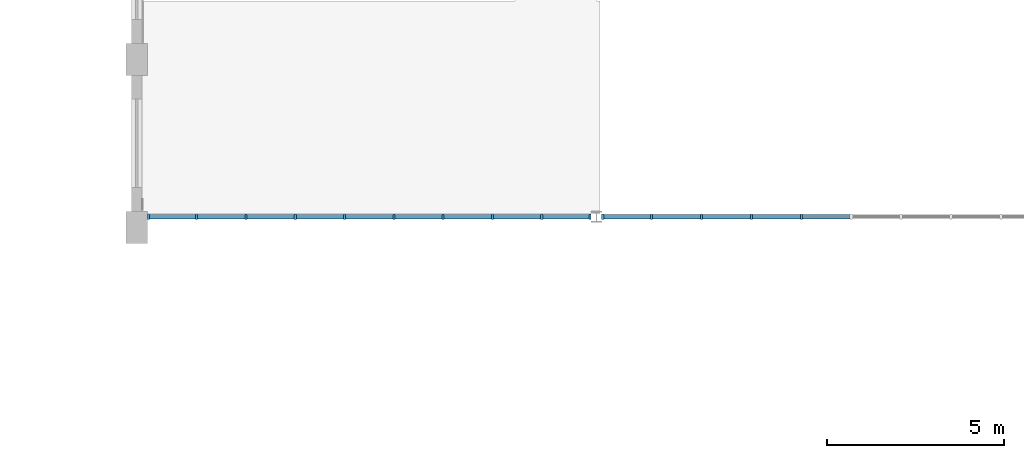
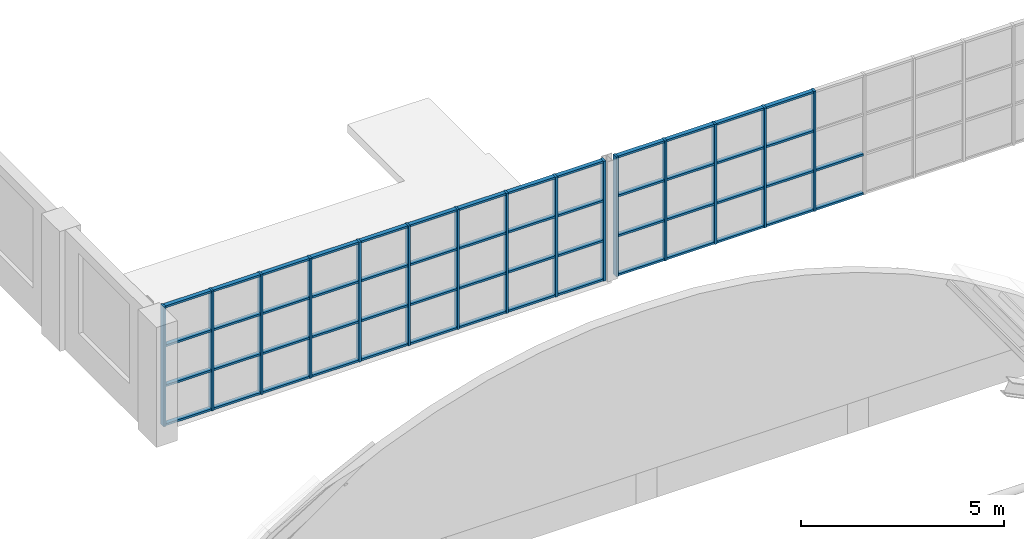
# One storey, part 7 of 70: 69 members, 2 elements without a shape of their own.
"""IFC4 building model written with IfcOpenShell, lengths in metres."""

from ifc_helpers import new_model, si_unit, direction, frame, origin, origin_2d, place, context, subcontext, project, spatial, rectangle, extrude, material, material_profile, profile_set, type_object, element, aggregate, save


model = new_model("IFC4")

# Units and contexts
model_context = context("Model", 3, precision=1e-05, world=origin(), true_north=direction((0.0, 1.0)))
body_context = subcontext(model_context, "Body", "Model", "MODEL_VIEW")
ifc_project = project(units=[si_unit("LENGTHUNIT", "METRE"), si_unit("AREAUNIT", "SQUARE_METRE"), si_unit("VOLUMEUNIT", "CUBIC_METRE"), si_unit("PLANEANGLEUNIT", "RADIAN"), si_unit("MASSUNIT", "GRAM", prefix="KILO")], contexts=[model_context])

# Site, building, storey
site_placement = place(None, origin())
site = spatial("IfcSite", under=ifc_project, at=site_placement, CompositionType="ELEMENT")
building_placement = place(site_placement, origin())
building = spatial("IfcBuilding", under=site, at=building_placement, Name="Elbe Cascade School", CompositionType="ELEMENT")
storey_placement = place(building_placement, frame((0.0, 0.0, 8.10009765625)))
storey = spatial("IfcBuildingStorey", under=building, at=storey_placement, Name="L02", CompositionType="ELEMENT", Elevation=8.10009765625)

# Curtain wall, members
ifc_material_1 = material(Name="Glass - double glazed low-E", Category="glass")
curtain_wall_type = type_object("IfcCurtainWallType", Name="Hall gable curtain wall", PredefinedType="NOTDEFINED", material=ifc_material_1)
curtain_wall_1_placement = place(storey_placement, origin())
curtain_wall_1 = element("IfcCurtainWall", 1, at=curtain_wall_1_placement, inside=storey, type_object=curtain_wall_type, Name="Gable curtain wall S1", PredefinedType="NOTDEFINED")
ifc_material_2 = material(Name="Aluminium - bronze anodised", Category="aluminium")
ifc_material_profile_1 = material_profile(ifc_material_2, rectangle(XDim=0.159912109375, YDim=0.06005859375, at=origin_2d()), Name="Alu 60x160")
ifc_profile_set_1 = profile_set([ifc_material_profile_1], Name="Aluminium - bronze anodised")
member_type_1 = type_object("IfcMemberType", Name="Hall gable mullion 60x160", PredefinedType="MULLION", material=ifc_profile_set_1)
member_1_placement = place(storey_placement, frame((8.330078125, 41.300048828125, 0.0), z_axis=(0.0, 0.0, 1.0), x_axis=(0.0, 1.0, 0.0)))
member_1 = element("IfcMember", 2, at=member_1_placement, type_object=member_type_1, Name="CW6 mullion 1", PredefinedType="MULLION", context=body_context, shape_type="SweptSolid", body=[
    extrude(rectangle(XDim=0.159912109375, YDim=0.06005859375, at=origin_2d()), origin(), (0.0, 0.0, 1.0), 3.599853515625),
])
member_2_placement = place(storey_placement, frame((9.6943359375, 41.300048828125, 0.0), z_axis=(0.0, 0.0, 1.0), x_axis=(0.0, 1.0, 0.0)))
member_2 = element("IfcMember", 3, at=member_2_placement, type_object=member_type_1, Name="CW6 mullion 2", PredefinedType="MULLION", context=body_context, shape_type="SweptSolid", body=[
    extrude(rectangle(XDim=0.159912109375, YDim=0.06005859375, at=origin_2d()), origin(), (0.0, 0.0, 1.0), 3.599853515625),
])
member_3_placement = place(storey_placement, frame((11.0888671875, 41.300048828125, 0.0), z_axis=(0.0, 0.0, 1.0), x_axis=(0.0, 1.0, 0.0)))
member_3 = element("IfcMember", 4, at=member_3_placement, type_object=member_type_1, Name="CW6 mullion 3", PredefinedType="MULLION", context=body_context, shape_type="SweptSolid", body=[
    extrude(rectangle(XDim=0.159912109375, YDim=0.06005859375, at=origin_2d()), origin(), (0.0, 0.0, 1.0), 3.599853515625),
])
member_4_placement = place(storey_placement, frame((12.4833984375, 41.300048828125, 0.0), z_axis=(0.0, 0.0, 1.0), x_axis=(0.0, 1.0, 0.0)))
member_4 = element("IfcMember", 5, at=member_4_placement, type_object=member_type_1, Name="CW6 mullion 4", PredefinedType="MULLION", context=body_context, shape_type="SweptSolid", body=[
    extrude(rectangle(XDim=0.159912109375, YDim=0.06005859375, at=origin_2d()), origin(), (0.0, 0.0, 1.0), 3.599853515625),
])
member_5_placement = place(storey_placement, frame((13.877685546875, 41.300048828125, 0.0), z_axis=(0.0, 0.0, 1.0), x_axis=(0.0, 1.0, 0.0)))
member_5 = element("IfcMember", 6, at=member_5_placement, type_object=member_type_1, Name="CW6 mullion 5", PredefinedType="MULLION", context=body_context, shape_type="SweptSolid", body=[
    extrude(rectangle(XDim=0.159912109375, YDim=0.06005859375, at=origin_2d()), origin(), (0.0, 0.0, 1.0), 3.599853515625),
])
member_6_placement = place(storey_placement, frame((15.272216796875, 41.300048828125, 0.0), z_axis=(0.0, 0.0, 1.0), x_axis=(0.0, 1.0, 0.0)))
member_6 = element("IfcMember", 7, at=member_6_placement, type_object=member_type_1, Name="CW6 mullion 6", PredefinedType="MULLION", context=body_context, shape_type="SweptSolid", body=[
    extrude(rectangle(XDim=0.159912109375, YDim=0.06005859375, at=origin_2d()), origin(), (0.0, 0.0, 1.0), 3.599853515625),
])
member_7_placement = place(storey_placement, frame((16.666748046875, 41.300048828125, 0.0), z_axis=(0.0, 0.0, 1.0), x_axis=(0.0, 1.0, 0.0)))
member_7 = element("IfcMember", 8, at=member_7_placement, type_object=member_type_1, Name="CW6 mullion 7", PredefinedType="MULLION", context=body_context, shape_type="SweptSolid", body=[
    extrude(rectangle(XDim=0.159912109375, YDim=0.06005859375, at=origin_2d()), origin(), (0.0, 0.0, 1.0), 3.599853515625),
])
member_8_placement = place(storey_placement, frame((18.06103515625, 41.300048828125, 0.0), z_axis=(0.0, 0.0, 1.0), x_axis=(0.0, 1.0, 0.0)))
member_8 = element("IfcMember", 9, at=member_8_placement, type_object=member_type_1, Name="CW6 mullion 8", PredefinedType="MULLION", context=body_context, shape_type="SweptSolid", body=[
    extrude(rectangle(XDim=0.159912109375, YDim=0.06005859375, at=origin_2d()), origin(), (0.0, 0.0, 1.0), 3.599853515625),
])
member_9_placement = place(storey_placement, frame((19.45556640625, 41.300048828125, 0.0), z_axis=(0.0, 0.0, 1.0), x_axis=(0.0, 1.0, 0.0)))
member_9 = element("IfcMember", 10, at=member_9_placement, type_object=member_type_1, Name="CW6 mullion 9", PredefinedType="MULLION", context=body_context, shape_type="SweptSolid", body=[
    extrude(rectangle(XDim=0.159912109375, YDim=0.06005859375, at=origin_2d()), origin(), (0.0, 0.0, 1.0), 3.599853515625),
])
member_10_placement = place(storey_placement, frame((20.820068359375, 41.300048828125, 0.0), z_axis=(0.0, 0.0, 1.0), x_axis=(0.0, 1.0, 0.0)))
member_10 = element("IfcMember", 11, at=member_10_placement, type_object=member_type_1, Name="CW6 mullion 10", PredefinedType="MULLION", context=body_context, shape_type="SweptSolid", body=[
    extrude(rectangle(XDim=0.159912109375, YDim=0.06005859375, at=origin_2d()), origin(), (0.0, 0.0, 1.0), 3.599853515625),
])

curtain_wall_2_placement = place(storey_placement, origin())
curtain_wall_2 = element("IfcCurtainWall", 12, at=curtain_wall_2_placement, inside=storey, type_object=curtain_wall_type, Name="Gable curtain wall S2", PredefinedType="NOTDEFINED")
member_11_placement = place(storey_placement, frame((21.179931640625, 41.300048828125, 0.0), z_axis=(0.0, 0.0, 1.0), x_axis=(0.0, 1.0, 0.0)))
member_11 = element("IfcMember", 13, at=member_11_placement, type_object=member_type_1, Name="CW6 mullion 1", PredefinedType="MULLION", context=body_context, shape_type="SweptSolid", body=[
    extrude(rectangle(XDim=0.159912109375, YDim=0.06005859375, at=origin_2d()), origin(), (0.0, 0.0, 1.0), 3.599853515625),
])
member_12_placement = place(storey_placement, frame((22.56103515625, 41.300048828125, 0.0), z_axis=(0.0, 0.0, 1.0), x_axis=(0.0, 1.0, 0.0)))
member_12 = element("IfcMember", 14, at=member_12_placement, type_object=member_type_1, Name="CW6 mullion 2", PredefinedType="MULLION", context=body_context, shape_type="SweptSolid", body=[
    extrude(rectangle(XDim=0.159912109375, YDim=0.06005859375, at=origin_2d()), origin(), (0.0, 0.0, 1.0), 3.599853515625),
])
member_13_placement = place(storey_placement, frame((23.97216796875, 41.300048828125, 0.0), z_axis=(0.0, 0.0, 1.0), x_axis=(0.0, 1.0, 0.0)))
member_13 = element("IfcMember", 15, at=member_13_placement, type_object=member_type_1, Name="CW6 mullion 3", PredefinedType="MULLION", context=body_context, shape_type="SweptSolid", body=[
    extrude(rectangle(XDim=0.159912109375, YDim=0.06005859375, at=origin_2d()), origin(), (0.0, 0.0, 1.0), 3.599853515625),
])
member_14_placement = place(storey_placement, frame((25.38330078125, 41.300048828125, 0.0), z_axis=(0.0, 0.0, 1.0), x_axis=(0.0, 1.0, 0.0)))
member_14 = element("IfcMember", 16, at=member_14_placement, type_object=member_type_1, Name="CW6 mullion 4", PredefinedType="MULLION", context=body_context, shape_type="SweptSolid", body=[
    extrude(rectangle(XDim=0.159912109375, YDim=0.06005859375, at=origin_2d()), origin(), (0.0, 0.0, 1.0), 3.599853515625),
])
member_15_placement = place(storey_placement, frame((26.79443359375, 41.300048828125, 0.0), z_axis=(0.0, 0.0, 1.0), x_axis=(0.0, 1.0, 0.0)))
member_15 = element("IfcMember", 17, at=member_15_placement, type_object=member_type_1, Name="CW6 mullion 5", PredefinedType="MULLION", context=body_context, shape_type="SweptSolid", body=[
    extrude(rectangle(XDim=0.159912109375, YDim=0.06005859375, at=origin_2d()), origin(), (0.0, 0.0, 1.0), 3.599853515625),
])

# Member
ifc_material_3 = material(Name="Aluminium - bronze anodised", Category="aluminium")
ifc_material_profile_2 = material_profile(ifc_material_3, rectangle(XDim=0.1201171875, YDim=0.06005859375, at=origin_2d()), Name="Alu 60x120")
ifc_profile_set_2 = profile_set([ifc_material_profile_2], Name="Aluminium - bronze anodised")
member_type_2 = type_object("IfcMemberType", Name="Hall gable transom 60x120", PredefinedType="USERDEFINED", material=ifc_profile_set_2)
member_16_placement = place(storey_placement, frame((8.360107421875, 41.300048828125, 0.02978515625), z_axis=(1.0, 0.0, 0.0), x_axis=(0.0, 1.0, 0.0)))
member_16 = element("IfcMember", 18, at=member_16_placement, type_object=member_type_2, Name="CW6 transom 1.1", ObjectType="TRANSOM", PredefinedType="USERDEFINED", context=body_context, shape_type="SweptSolid", body=[
    extrude(rectangle(XDim=0.1201171875, YDim=0.06005859375, at=origin_2d()), origin(), (0.0, 0.0, 1.0), 1.304443359375),
])

member_17_placement = place(storey_placement, frame((8.360107421875, 41.300048828125, 1.199951171875), z_axis=(1.0, 0.0, 0.0), x_axis=(0.0, 1.0, 0.0)))
member_17 = element("IfcMember", 19, at=member_17_placement, type_object=member_type_2, Name="CW6 transom 1.2", ObjectType="TRANSOM", PredefinedType="USERDEFINED", context=body_context, shape_type="SweptSolid", body=[
    extrude(rectangle(XDim=0.1201171875, YDim=0.06005859375, at=origin_2d()), origin(), (0.0, 0.0, 1.0), 1.304443359375),
])

member_18_placement = place(storey_placement, frame((8.360107421875, 41.300048828125, 2.39990234375), z_axis=(1.0, 0.0, 0.0), x_axis=(0.0, 1.0, 0.0)))
member_18 = element("IfcMember", 20, at=member_18_placement, type_object=member_type_2, Name="CW6 transom 1.3", ObjectType="TRANSOM", PredefinedType="USERDEFINED", context=body_context, shape_type="SweptSolid", body=[
    extrude(rectangle(XDim=0.1201171875, YDim=0.06005859375, at=origin_2d()), origin(), (0.0, 0.0, 1.0), 1.304443359375),
])

member_19_placement = place(storey_placement, frame((8.360107421875, 41.300048828125, 3.56982421875), z_axis=(1.0, 0.0, 0.0), x_axis=(0.0, 1.0, 0.0)))
member_19 = element("IfcMember", 21, at=member_19_placement, type_object=member_type_2, Name="CW6 transom 1.4", ObjectType="TRANSOM", PredefinedType="USERDEFINED", context=body_context, shape_type="SweptSolid", body=[
    extrude(rectangle(XDim=0.1201171875, YDim=0.06005859375, at=origin_2d()), origin(), (0.0, 0.0, 1.0), 1.304443359375),
])

member_20_placement = place(storey_placement, frame((9.724365234375, 41.300048828125, 0.02978515625), z_axis=(1.0, 0.0, 0.0), x_axis=(0.0, 1.0, 0.0)))
member_20 = element("IfcMember", 22, at=member_20_placement, type_object=member_type_2, Name="CW6 transom 2.1", ObjectType="TRANSOM", PredefinedType="USERDEFINED", context=body_context, shape_type="SweptSolid", body=[
    extrude(rectangle(XDim=0.1201171875, YDim=0.06005859375, at=origin_2d()), origin(), (0.0, 0.0, 1.0), 1.33447265625),
])

member_21_placement = place(storey_placement, frame((9.724365234375, 41.300048828125, 1.199951171875), z_axis=(1.0, 0.0, 0.0), x_axis=(0.0, 1.0, 0.0)))
member_21 = element("IfcMember", 23, at=member_21_placement, type_object=member_type_2, Name="CW6 transom 2.2", ObjectType="TRANSOM", PredefinedType="USERDEFINED", context=body_context, shape_type="SweptSolid", body=[
    extrude(rectangle(XDim=0.1201171875, YDim=0.06005859375, at=origin_2d()), origin(), (0.0, 0.0, 1.0), 1.33447265625),
])

member_22_placement = place(storey_placement, frame((9.724365234375, 41.300048828125, 2.39990234375), z_axis=(1.0, 0.0, 0.0), x_axis=(0.0, 1.0, 0.0)))
member_22 = element("IfcMember", 24, at=member_22_placement, type_object=member_type_2, Name="CW6 transom 2.3", ObjectType="TRANSOM", PredefinedType="USERDEFINED", context=body_context, shape_type="SweptSolid", body=[
    extrude(rectangle(XDim=0.1201171875, YDim=0.06005859375, at=origin_2d()), origin(), (0.0, 0.0, 1.0), 1.33447265625),
])

member_23_placement = place(storey_placement, frame((9.724365234375, 41.300048828125, 3.56982421875), z_axis=(1.0, 0.0, 0.0), x_axis=(0.0, 1.0, 0.0)))
member_23 = element("IfcMember", 25, at=member_23_placement, type_object=member_type_2, Name="CW6 transom 2.4", ObjectType="TRANSOM", PredefinedType="USERDEFINED", context=body_context, shape_type="SweptSolid", body=[
    extrude(rectangle(XDim=0.1201171875, YDim=0.06005859375, at=origin_2d()), origin(), (0.0, 0.0, 1.0), 1.33447265625),
])

member_24_placement = place(storey_placement, frame((11.118896484375, 41.300048828125, 0.02978515625), z_axis=(1.0, 0.0, 0.0), x_axis=(0.0, 1.0, 0.0)))
member_24 = element("IfcMember", 26, at=member_24_placement, type_object=member_type_2, Name="CW6 transom 3.1", ObjectType="TRANSOM", PredefinedType="USERDEFINED", context=body_context, shape_type="SweptSolid", body=[
    extrude(rectangle(XDim=0.1201171875, YDim=0.06005859375, at=origin_2d()), origin(), (0.0, 0.0, 1.0), 1.33447265625),
])

member_25_placement = place(storey_placement, frame((11.118896484375, 41.300048828125, 1.199951171875), z_axis=(1.0, 0.0, 0.0), x_axis=(0.0, 1.0, 0.0)))
member_25 = element("IfcMember", 27, at=member_25_placement, type_object=member_type_2, Name="CW6 transom 3.2", ObjectType="TRANSOM", PredefinedType="USERDEFINED", context=body_context, shape_type="SweptSolid", body=[
    extrude(rectangle(XDim=0.1201171875, YDim=0.06005859375, at=origin_2d()), origin(), (0.0, 0.0, 1.0), 1.33447265625),
])

member_26_placement = place(storey_placement, frame((11.118896484375, 41.300048828125, 2.39990234375), z_axis=(1.0, 0.0, 0.0), x_axis=(0.0, 1.0, 0.0)))
member_26 = element("IfcMember", 28, at=member_26_placement, type_object=member_type_2, Name="CW6 transom 3.3", ObjectType="TRANSOM", PredefinedType="USERDEFINED", context=body_context, shape_type="SweptSolid", body=[
    extrude(rectangle(XDim=0.1201171875, YDim=0.06005859375, at=origin_2d()), origin(), (0.0, 0.0, 1.0), 1.33447265625),
])

member_27_placement = place(storey_placement, frame((11.118896484375, 41.300048828125, 3.56982421875), z_axis=(1.0, 0.0, 0.0), x_axis=(0.0, 1.0, 0.0)))
member_27 = element("IfcMember", 29, at=member_27_placement, type_object=member_type_2, Name="CW6 transom 3.4", ObjectType="TRANSOM", PredefinedType="USERDEFINED", context=body_context, shape_type="SweptSolid", body=[
    extrude(rectangle(XDim=0.1201171875, YDim=0.06005859375, at=origin_2d()), origin(), (0.0, 0.0, 1.0), 1.33447265625),
])

member_28_placement = place(storey_placement, frame((12.513427734375, 41.300048828125, 0.02978515625), z_axis=(1.0, 0.0, 0.0), x_axis=(0.0, 1.0, 0.0)))
member_28 = element("IfcMember", 30, at=member_28_placement, type_object=member_type_2, Name="CW6 transom 4.1", ObjectType="TRANSOM", PredefinedType="USERDEFINED", context=body_context, shape_type="SweptSolid", body=[
    extrude(rectangle(XDim=0.1201171875, YDim=0.06005859375, at=origin_2d()), origin(), (0.0, 0.0, 1.0), 1.334228515625),
])

member_29_placement = place(storey_placement, frame((12.513427734375, 41.300048828125, 1.199951171875), z_axis=(1.0, 0.0, 0.0), x_axis=(0.0, 1.0, 0.0)))
member_29 = element("IfcMember", 31, at=member_29_placement, type_object=member_type_2, Name="CW6 transom 4.2", ObjectType="TRANSOM", PredefinedType="USERDEFINED", context=body_context, shape_type="SweptSolid", body=[
    extrude(rectangle(XDim=0.1201171875, YDim=0.06005859375, at=origin_2d()), origin(), (0.0, 0.0, 1.0), 1.334228515625),
])

member_30_placement = place(storey_placement, frame((12.513427734375, 41.300048828125, 2.39990234375), z_axis=(1.0, 0.0, 0.0), x_axis=(0.0, 1.0, 0.0)))
member_30 = element("IfcMember", 32, at=member_30_placement, type_object=member_type_2, Name="CW6 transom 4.3", ObjectType="TRANSOM", PredefinedType="USERDEFINED", context=body_context, shape_type="SweptSolid", body=[
    extrude(rectangle(XDim=0.1201171875, YDim=0.06005859375, at=origin_2d()), origin(), (0.0, 0.0, 1.0), 1.334228515625),
])

member_31_placement = place(storey_placement, frame((12.513427734375, 41.300048828125, 3.56982421875), z_axis=(1.0, 0.0, 0.0), x_axis=(0.0, 1.0, 0.0)))
member_31 = element("IfcMember", 33, at=member_31_placement, type_object=member_type_2, Name="CW6 transom 4.4", ObjectType="TRANSOM", PredefinedType="USERDEFINED", context=body_context, shape_type="SweptSolid", body=[
    extrude(rectangle(XDim=0.1201171875, YDim=0.06005859375, at=origin_2d()), origin(), (0.0, 0.0, 1.0), 1.334228515625),
])

member_32_placement = place(storey_placement, frame((13.90771484375, 41.300048828125, 0.02978515625), z_axis=(1.0, 0.0, 0.0), x_axis=(0.0, 1.0, 0.0)))
member_32 = element("IfcMember", 34, at=member_32_placement, type_object=member_type_2, Name="CW6 transom 5.1", ObjectType="TRANSOM", PredefinedType="USERDEFINED", context=body_context, shape_type="SweptSolid", body=[
    extrude(rectangle(XDim=0.1201171875, YDim=0.06005859375, at=origin_2d()), origin(), (0.0, 0.0, 1.0), 1.33447265625),
])

member_33_placement = place(storey_placement, frame((13.90771484375, 41.300048828125, 1.199951171875), z_axis=(1.0, 0.0, 0.0), x_axis=(0.0, 1.0, 0.0)))
member_33 = element("IfcMember", 35, at=member_33_placement, type_object=member_type_2, Name="CW6 transom 5.2", ObjectType="TRANSOM", PredefinedType="USERDEFINED", context=body_context, shape_type="SweptSolid", body=[
    extrude(rectangle(XDim=0.1201171875, YDim=0.06005859375, at=origin_2d()), origin(), (0.0, 0.0, 1.0), 1.33447265625),
])

member_34_placement = place(storey_placement, frame((13.90771484375, 41.300048828125, 2.39990234375), z_axis=(1.0, 0.0, 0.0), x_axis=(0.0, 1.0, 0.0)))
member_34 = element("IfcMember", 36, at=member_34_placement, type_object=member_type_2, Name="CW6 transom 5.3", ObjectType="TRANSOM", PredefinedType="USERDEFINED", context=body_context, shape_type="SweptSolid", body=[
    extrude(rectangle(XDim=0.1201171875, YDim=0.06005859375, at=origin_2d()), origin(), (0.0, 0.0, 1.0), 1.33447265625),
])

member_35_placement = place(storey_placement, frame((13.90771484375, 41.300048828125, 3.56982421875), z_axis=(1.0, 0.0, 0.0), x_axis=(0.0, 1.0, 0.0)))
member_35 = element("IfcMember", 37, at=member_35_placement, type_object=member_type_2, Name="CW6 transom 5.4", ObjectType="TRANSOM", PredefinedType="USERDEFINED", context=body_context, shape_type="SweptSolid", body=[
    extrude(rectangle(XDim=0.1201171875, YDim=0.06005859375, at=origin_2d()), origin(), (0.0, 0.0, 1.0), 1.33447265625),
])

member_36_placement = place(storey_placement, frame((15.30224609375, 41.300048828125, 0.02978515625), z_axis=(1.0, 0.0, 0.0), x_axis=(0.0, 1.0, 0.0)))
member_36 = element("IfcMember", 38, at=member_36_placement, type_object=member_type_2, Name="CW6 transom 6.1", ObjectType="TRANSOM", PredefinedType="USERDEFINED", context=body_context, shape_type="SweptSolid", body=[
    extrude(rectangle(XDim=0.1201171875, YDim=0.06005859375, at=origin_2d()), origin(), (0.0, 0.0, 1.0), 1.33447265625),
])

member_37_placement = place(storey_placement, frame((15.30224609375, 41.300048828125, 1.199951171875), z_axis=(1.0, 0.0, 0.0), x_axis=(0.0, 1.0, 0.0)))
member_37 = element("IfcMember", 39, at=member_37_placement, type_object=member_type_2, Name="CW6 transom 6.2", ObjectType="TRANSOM", PredefinedType="USERDEFINED", context=body_context, shape_type="SweptSolid", body=[
    extrude(rectangle(XDim=0.1201171875, YDim=0.06005859375, at=origin_2d()), origin(), (0.0, 0.0, 1.0), 1.33447265625),
])

member_38_placement = place(storey_placement, frame((15.30224609375, 41.300048828125, 2.39990234375), z_axis=(1.0, 0.0, 0.0), x_axis=(0.0, 1.0, 0.0)))
member_38 = element("IfcMember", 40, at=member_38_placement, type_object=member_type_2, Name="CW6 transom 6.3", ObjectType="TRANSOM", PredefinedType="USERDEFINED", context=body_context, shape_type="SweptSolid", body=[
    extrude(rectangle(XDim=0.1201171875, YDim=0.06005859375, at=origin_2d()), origin(), (0.0, 0.0, 1.0), 1.33447265625),
])

member_39_placement = place(storey_placement, frame((15.30224609375, 41.300048828125, 3.56982421875), z_axis=(1.0, 0.0, 0.0), x_axis=(0.0, 1.0, 0.0)))
member_39 = element("IfcMember", 41, at=member_39_placement, type_object=member_type_2, Name="CW6 transom 6.4", ObjectType="TRANSOM", PredefinedType="USERDEFINED", context=body_context, shape_type="SweptSolid", body=[
    extrude(rectangle(XDim=0.1201171875, YDim=0.06005859375, at=origin_2d()), origin(), (0.0, 0.0, 1.0), 1.33447265625),
])

member_40_placement = place(storey_placement, frame((16.69677734375, 41.300048828125, 0.02978515625), z_axis=(1.0, 0.0, 0.0), x_axis=(0.0, 1.0, 0.0)))
member_40 = element("IfcMember", 42, at=member_40_placement, type_object=member_type_2, Name="CW6 transom 7.1", ObjectType="TRANSOM", PredefinedType="USERDEFINED", context=body_context, shape_type="SweptSolid", body=[
    extrude(rectangle(XDim=0.1201171875, YDim=0.06005859375, at=origin_2d()), origin(), (0.0, 0.0, 1.0), 1.334228515625),
])

member_41_placement = place(storey_placement, frame((16.69677734375, 41.300048828125, 1.199951171875), z_axis=(1.0, 0.0, 0.0), x_axis=(0.0, 1.0, 0.0)))
member_41 = element("IfcMember", 43, at=member_41_placement, type_object=member_type_2, Name="CW6 transom 7.2", ObjectType="TRANSOM", PredefinedType="USERDEFINED", context=body_context, shape_type="SweptSolid", body=[
    extrude(rectangle(XDim=0.1201171875, YDim=0.06005859375, at=origin_2d()), origin(), (0.0, 0.0, 1.0), 1.334228515625),
])

member_42_placement = place(storey_placement, frame((16.69677734375, 41.300048828125, 2.39990234375), z_axis=(1.0, 0.0, 0.0), x_axis=(0.0, 1.0, 0.0)))
member_42 = element("IfcMember", 44, at=member_42_placement, type_object=member_type_2, Name="CW6 transom 7.3", ObjectType="TRANSOM", PredefinedType="USERDEFINED", context=body_context, shape_type="SweptSolid", body=[
    extrude(rectangle(XDim=0.1201171875, YDim=0.06005859375, at=origin_2d()), origin(), (0.0, 0.0, 1.0), 1.334228515625),
])

member_43_placement = place(storey_placement, frame((16.69677734375, 41.300048828125, 3.56982421875), z_axis=(1.0, 0.0, 0.0), x_axis=(0.0, 1.0, 0.0)))
member_43 = element("IfcMember", 45, at=member_43_placement, type_object=member_type_2, Name="CW6 transom 7.4", ObjectType="TRANSOM", PredefinedType="USERDEFINED", context=body_context, shape_type="SweptSolid", body=[
    extrude(rectangle(XDim=0.1201171875, YDim=0.06005859375, at=origin_2d()), origin(), (0.0, 0.0, 1.0), 1.334228515625),
])

member_44_placement = place(storey_placement, frame((18.091064453125, 41.300048828125, 0.02978515625), z_axis=(1.0, 0.0, 0.0), x_axis=(0.0, 1.0, 0.0)))
member_44 = element("IfcMember", 46, at=member_44_placement, type_object=member_type_2, Name="CW6 transom 8.1", ObjectType="TRANSOM", PredefinedType="USERDEFINED", context=body_context, shape_type="SweptSolid", body=[
    extrude(rectangle(XDim=0.1201171875, YDim=0.06005859375, at=origin_2d()), origin(), (0.0, 0.0, 1.0), 1.33447265625),
])

member_45_placement = place(storey_placement, frame((18.091064453125, 41.300048828125, 1.199951171875), z_axis=(1.0, 0.0, 0.0), x_axis=(0.0, 1.0, 0.0)))
member_45 = element("IfcMember", 47, at=member_45_placement, type_object=member_type_2, Name="CW6 transom 8.2", ObjectType="TRANSOM", PredefinedType="USERDEFINED", context=body_context, shape_type="SweptSolid", body=[
    extrude(rectangle(XDim=0.1201171875, YDim=0.06005859375, at=origin_2d()), origin(), (0.0, 0.0, 1.0), 1.33447265625),
])

member_46_placement = place(storey_placement, frame((18.091064453125, 41.300048828125, 2.39990234375), z_axis=(1.0, 0.0, 0.0), x_axis=(0.0, 1.0, 0.0)))
member_46 = element("IfcMember", 48, at=member_46_placement, type_object=member_type_2, Name="CW6 transom 8.3", ObjectType="TRANSOM", PredefinedType="USERDEFINED", context=body_context, shape_type="SweptSolid", body=[
    extrude(rectangle(XDim=0.1201171875, YDim=0.06005859375, at=origin_2d()), origin(), (0.0, 0.0, 1.0), 1.33447265625),
])

member_47_placement = place(storey_placement, frame((18.091064453125, 41.300048828125, 3.56982421875), z_axis=(1.0, 0.0, 0.0), x_axis=(0.0, 1.0, 0.0)))
member_47 = element("IfcMember", 49, at=member_47_placement, type_object=member_type_2, Name="CW6 transom 8.4", ObjectType="TRANSOM", PredefinedType="USERDEFINED", context=body_context, shape_type="SweptSolid", body=[
    extrude(rectangle(XDim=0.1201171875, YDim=0.06005859375, at=origin_2d()), origin(), (0.0, 0.0, 1.0), 1.33447265625),
])

member_48_placement = place(storey_placement, frame((19.485595703125, 41.300048828125, 0.02978515625), z_axis=(1.0, 0.0, 0.0), x_axis=(0.0, 1.0, 0.0)))
member_48 = element("IfcMember", 50, at=member_48_placement, type_object=member_type_2, Name="CW6 transom 9.1", ObjectType="TRANSOM", PredefinedType="USERDEFINED", context=body_context, shape_type="SweptSolid", body=[
    extrude(rectangle(XDim=0.1201171875, YDim=0.06005859375, at=origin_2d()), origin(), (0.0, 0.0, 1.0), 1.304443359375),
])

member_49_placement = place(storey_placement, frame((19.485595703125, 41.300048828125, 1.199951171875), z_axis=(1.0, 0.0, 0.0), x_axis=(0.0, 1.0, 0.0)))
member_49 = element("IfcMember", 51, at=member_49_placement, type_object=member_type_2, Name="CW6 transom 9.2", ObjectType="TRANSOM", PredefinedType="USERDEFINED", context=body_context, shape_type="SweptSolid", body=[
    extrude(rectangle(XDim=0.1201171875, YDim=0.06005859375, at=origin_2d()), origin(), (0.0, 0.0, 1.0), 1.304443359375),
])

member_50_placement = place(storey_placement, frame((19.485595703125, 41.300048828125, 2.39990234375), z_axis=(1.0, 0.0, 0.0), x_axis=(0.0, 1.0, 0.0)))
member_50 = element("IfcMember", 52, at=member_50_placement, type_object=member_type_2, Name="CW6 transom 9.3", ObjectType="TRANSOM", PredefinedType="USERDEFINED", context=body_context, shape_type="SweptSolid", body=[
    extrude(rectangle(XDim=0.1201171875, YDim=0.06005859375, at=origin_2d()), origin(), (0.0, 0.0, 1.0), 1.304443359375),
])

member_51_placement = place(storey_placement, frame((19.485595703125, 41.300048828125, 3.56982421875), z_axis=(1.0, 0.0, 0.0), x_axis=(0.0, 1.0, 0.0)))
member_51 = element("IfcMember", 53, at=member_51_placement, type_object=member_type_2, Name="CW6 transom 9.4", ObjectType="TRANSOM", PredefinedType="USERDEFINED", context=body_context, shape_type="SweptSolid", body=[
    extrude(rectangle(XDim=0.1201171875, YDim=0.06005859375, at=origin_2d()), origin(), (0.0, 0.0, 1.0), 1.304443359375),
])

aggregate(curtain_wall_1, [member_1, member_2, member_3, member_4, member_5, member_6, member_7, member_8, member_9, member_10, member_16, member_17, member_18, member_19, member_20, member_21, member_22, member_23, member_24, member_25, member_26, member_27, member_28, member_29, member_30, member_31, member_32, member_33, member_34, member_35, member_36, member_37, member_38, member_39, member_40, member_41, member_42, member_43, member_44, member_45, member_46, member_47, member_48, member_49, member_50, member_51])

member_52_placement = place(storey_placement, frame((21.2099609375, 41.300048828125, 0.02978515625), z_axis=(1.0, 0.0, 0.0), x_axis=(0.0, 1.0, 0.0)))
member_52 = element("IfcMember", 54, at=member_52_placement, type_object=member_type_2, Name="CW6 transom 1.1", ObjectType="TRANSOM", PredefinedType="USERDEFINED", context=body_context, shape_type="SweptSolid", body=[
    extrude(rectangle(XDim=0.1201171875, YDim=0.06005859375, at=origin_2d()), origin(), (0.0, 0.0, 1.0), 1.321044921875),
])

member_53_placement = place(storey_placement, frame((21.2099609375, 41.300048828125, 1.199951171875), z_axis=(1.0, 0.0, 0.0), x_axis=(0.0, 1.0, 0.0)))
member_53 = element("IfcMember", 55, at=member_53_placement, type_object=member_type_2, Name="CW6 transom 1.2", ObjectType="TRANSOM", PredefinedType="USERDEFINED", context=body_context, shape_type="SweptSolid", body=[
    extrude(rectangle(XDim=0.1201171875, YDim=0.06005859375, at=origin_2d()), origin(), (0.0, 0.0, 1.0), 1.321044921875),
])

member_54_placement = place(storey_placement, frame((21.2099609375, 41.300048828125, 2.39990234375), z_axis=(1.0, 0.0, 0.0), x_axis=(0.0, 1.0, 0.0)))
member_54 = element("IfcMember", 56, at=member_54_placement, type_object=member_type_2, Name="CW6 transom 1.3", ObjectType="TRANSOM", PredefinedType="USERDEFINED", context=body_context, shape_type="SweptSolid", body=[
    extrude(rectangle(XDim=0.1201171875, YDim=0.06005859375, at=origin_2d()), origin(), (0.0, 0.0, 1.0), 1.321044921875),
])

member_55_placement = place(storey_placement, frame((21.2099609375, 41.300048828125, 3.56982421875), z_axis=(1.0, 0.0, 0.0), x_axis=(0.0, 1.0, 0.0)))
member_55 = element("IfcMember", 57, at=member_55_placement, type_object=member_type_2, Name="CW6 transom 1.4", ObjectType="TRANSOM", PredefinedType="USERDEFINED", context=body_context, shape_type="SweptSolid", body=[
    extrude(rectangle(XDim=0.1201171875, YDim=0.06005859375, at=origin_2d()), origin(), (0.0, 0.0, 1.0), 1.321044921875),
])

member_56_placement = place(storey_placement, frame((22.591064453125, 41.300048828125, 0.02978515625), z_axis=(1.0, 0.0, 0.0), x_axis=(0.0, 1.0, 0.0)))
member_56 = element("IfcMember", 58, at=member_56_placement, type_object=member_type_2, Name="CW6 transom 2.1", ObjectType="TRANSOM", PredefinedType="USERDEFINED", context=body_context, shape_type="SweptSolid", body=[
    extrude(rectangle(XDim=0.1201171875, YDim=0.06005859375, at=origin_2d()), origin(), (0.0, 0.0, 1.0), 1.35107421875),
])

member_57_placement = place(storey_placement, frame((22.591064453125, 41.300048828125, 1.199951171875), z_axis=(1.0, 0.0, 0.0), x_axis=(0.0, 1.0, 0.0)))
member_57 = element("IfcMember", 59, at=member_57_placement, type_object=member_type_2, Name="CW6 transom 2.2", ObjectType="TRANSOM", PredefinedType="USERDEFINED", context=body_context, shape_type="SweptSolid", body=[
    extrude(rectangle(XDim=0.1201171875, YDim=0.06005859375, at=origin_2d()), origin(), (0.0, 0.0, 1.0), 1.35107421875),
])

member_58_placement = place(storey_placement, frame((22.591064453125, 41.300048828125, 2.39990234375), z_axis=(1.0, 0.0, 0.0), x_axis=(0.0, 1.0, 0.0)))
member_58 = element("IfcMember", 60, at=member_58_placement, type_object=member_type_2, Name="CW6 transom 2.3", ObjectType="TRANSOM", PredefinedType="USERDEFINED", context=body_context, shape_type="SweptSolid", body=[
    extrude(rectangle(XDim=0.1201171875, YDim=0.06005859375, at=origin_2d()), origin(), (0.0, 0.0, 1.0), 1.35107421875),
])

member_59_placement = place(storey_placement, frame((22.591064453125, 41.300048828125, 3.56982421875), z_axis=(1.0, 0.0, 0.0), x_axis=(0.0, 1.0, 0.0)))
member_59 = element("IfcMember", 61, at=member_59_placement, type_object=member_type_2, Name="CW6 transom 2.4", ObjectType="TRANSOM", PredefinedType="USERDEFINED", context=body_context, shape_type="SweptSolid", body=[
    extrude(rectangle(XDim=0.1201171875, YDim=0.06005859375, at=origin_2d()), origin(), (0.0, 0.0, 1.0), 1.35107421875),
])

member_60_placement = place(storey_placement, frame((24.002197265625, 41.300048828125, 0.02978515625), z_axis=(1.0, 0.0, 0.0), x_axis=(0.0, 1.0, 0.0)))
member_60 = element("IfcMember", 62, at=member_60_placement, type_object=member_type_2, Name="CW6 transom 3.1", ObjectType="TRANSOM", PredefinedType="USERDEFINED", context=body_context, shape_type="SweptSolid", body=[
    extrude(rectangle(XDim=0.1201171875, YDim=0.06005859375, at=origin_2d()), origin(), (0.0, 0.0, 1.0), 1.35107421875),
])

member_61_placement = place(storey_placement, frame((24.002197265625, 41.300048828125, 1.199951171875), z_axis=(1.0, 0.0, 0.0), x_axis=(0.0, 1.0, 0.0)))
member_61 = element("IfcMember", 63, at=member_61_placement, type_object=member_type_2, Name="CW6 transom 3.2", ObjectType="TRANSOM", PredefinedType="USERDEFINED", context=body_context, shape_type="SweptSolid", body=[
    extrude(rectangle(XDim=0.1201171875, YDim=0.06005859375, at=origin_2d()), origin(), (0.0, 0.0, 1.0), 1.35107421875),
])

member_62_placement = place(storey_placement, frame((24.002197265625, 41.300048828125, 2.39990234375), z_axis=(1.0, 0.0, 0.0), x_axis=(0.0, 1.0, 0.0)))
member_62 = element("IfcMember", 64, at=member_62_placement, type_object=member_type_2, Name="CW6 transom 3.3", ObjectType="TRANSOM", PredefinedType="USERDEFINED", context=body_context, shape_type="SweptSolid", body=[
    extrude(rectangle(XDim=0.1201171875, YDim=0.06005859375, at=origin_2d()), origin(), (0.0, 0.0, 1.0), 1.35107421875),
])

member_63_placement = place(storey_placement, frame((24.002197265625, 41.300048828125, 3.56982421875), z_axis=(1.0, 0.0, 0.0), x_axis=(0.0, 1.0, 0.0)))
member_63 = element("IfcMember", 65, at=member_63_placement, type_object=member_type_2, Name="CW6 transom 3.4", ObjectType="TRANSOM", PredefinedType="USERDEFINED", context=body_context, shape_type="SweptSolid", body=[
    extrude(rectangle(XDim=0.1201171875, YDim=0.06005859375, at=origin_2d()), origin(), (0.0, 0.0, 1.0), 1.35107421875),
])

member_64_placement = place(storey_placement, frame((25.413330078125, 41.300048828125, 0.02978515625), z_axis=(1.0, 0.0, 0.0), x_axis=(0.0, 1.0, 0.0)))
member_64 = element("IfcMember", 66, at=member_64_placement, type_object=member_type_2, Name="CW6 transom 4.1", ObjectType="TRANSOM", PredefinedType="USERDEFINED", context=body_context, shape_type="SweptSolid", body=[
    extrude(rectangle(XDim=0.1201171875, YDim=0.06005859375, at=origin_2d()), origin(), (0.0, 0.0, 1.0), 1.35107421875),
])

member_65_placement = place(storey_placement, frame((25.413330078125, 41.300048828125, 1.199951171875), z_axis=(1.0, 0.0, 0.0), x_axis=(0.0, 1.0, 0.0)))
member_65 = element("IfcMember", 67, at=member_65_placement, type_object=member_type_2, Name="CW6 transom 4.2", ObjectType="TRANSOM", PredefinedType="USERDEFINED", context=body_context, shape_type="SweptSolid", body=[
    extrude(rectangle(XDim=0.1201171875, YDim=0.06005859375, at=origin_2d()), origin(), (0.0, 0.0, 1.0), 1.35107421875),
])

member_66_placement = place(storey_placement, frame((25.413330078125, 41.300048828125, 2.39990234375), z_axis=(1.0, 0.0, 0.0), x_axis=(0.0, 1.0, 0.0)))
member_66 = element("IfcMember", 68, at=member_66_placement, type_object=member_type_2, Name="CW6 transom 4.3", ObjectType="TRANSOM", PredefinedType="USERDEFINED", context=body_context, shape_type="SweptSolid", body=[
    extrude(rectangle(XDim=0.1201171875, YDim=0.06005859375, at=origin_2d()), origin(), (0.0, 0.0, 1.0), 1.35107421875),
])

member_67_placement = place(storey_placement, frame((25.413330078125, 41.300048828125, 3.56982421875), z_axis=(1.0, 0.0, 0.0), x_axis=(0.0, 1.0, 0.0)))
member_67 = element("IfcMember", 69, at=member_67_placement, type_object=member_type_2, Name="CW6 transom 4.4", ObjectType="TRANSOM", PredefinedType="USERDEFINED", context=body_context, shape_type="SweptSolid", body=[
    extrude(rectangle(XDim=0.1201171875, YDim=0.06005859375, at=origin_2d()), origin(), (0.0, 0.0, 1.0), 1.35107421875),
])

member_68_placement = place(storey_placement, frame((26.824462890625, 41.300048828125, 0.02978515625), z_axis=(1.0, 0.0, 0.0), x_axis=(0.0, 1.0, 0.0)))
member_68 = element("IfcMember", 70, at=member_68_placement, type_object=member_type_2, Name="CW6 transom 5.1", ObjectType="TRANSOM", PredefinedType="USERDEFINED", context=body_context, shape_type="SweptSolid", body=[
    extrude(rectangle(XDim=0.1201171875, YDim=0.06005859375, at=origin_2d()), origin(), (0.0, 0.0, 1.0), 1.35107421875),
])

member_69_placement = place(storey_placement, frame((26.824462890625, 41.300048828125, 1.199951171875), z_axis=(1.0, 0.0, 0.0), x_axis=(0.0, 1.0, 0.0)))
member_69 = element("IfcMember", 71, at=member_69_placement, type_object=member_type_2, Name="CW6 transom 5.2", ObjectType="TRANSOM", PredefinedType="USERDEFINED", context=body_context, shape_type="SweptSolid", body=[
    extrude(rectangle(XDim=0.1201171875, YDim=0.06005859375, at=origin_2d()), origin(), (0.0, 0.0, 1.0), 1.35107421875),
])

aggregate(curtain_wall_2, [member_11, member_12, member_13, member_14, member_15, member_52, member_53, member_54, member_55, member_56, member_57, member_58, member_59, member_60, member_61, member_62, member_63, member_64, member_65, member_66, member_67, member_68, member_69])

save(model, "model.ifc")
